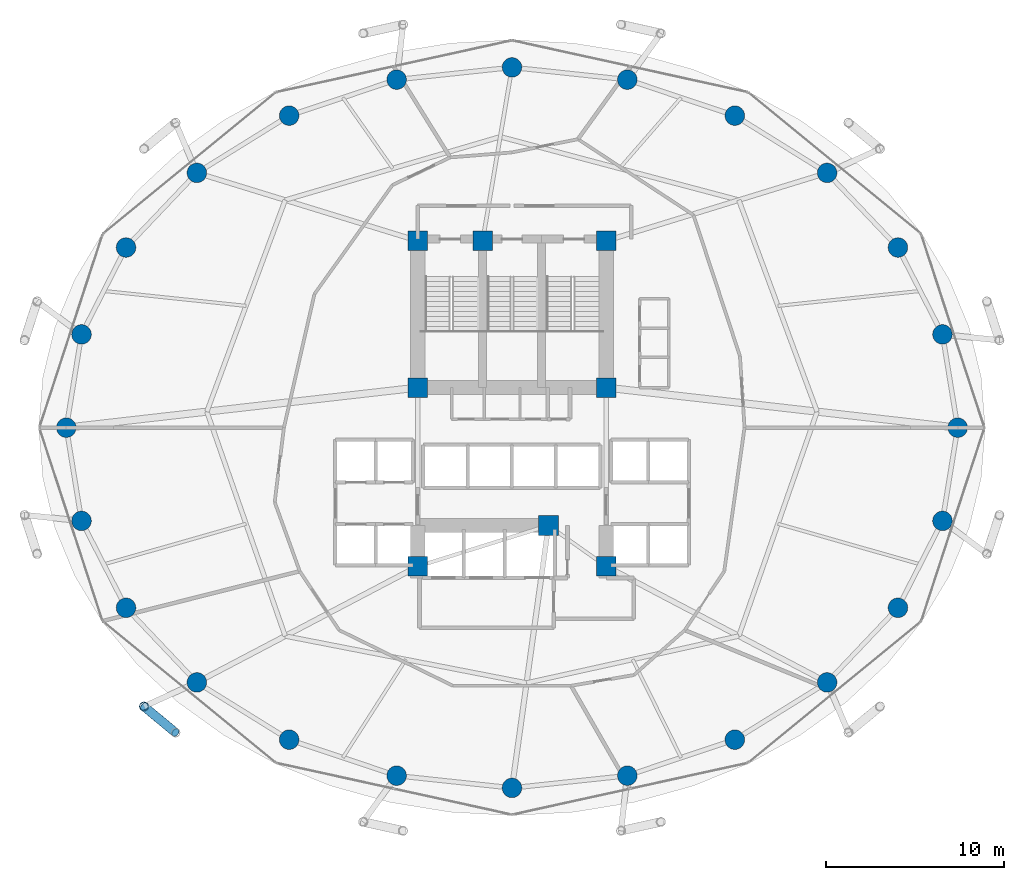
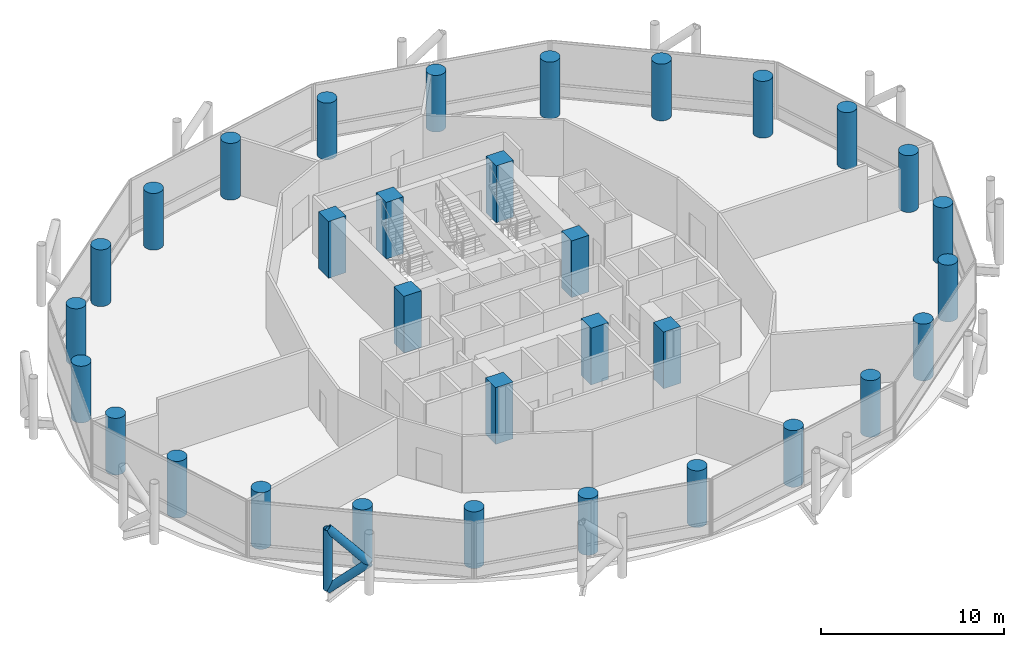
# One storey, part 1 of 24: 32 columns, 3 members.
"""IFC4 building model written with IfcOpenShell, lengths in metres."""

from ifc_helpers import new_model, si_unit, direction, frame, origin, origin_2d, place, context, subcontext, project, spatial, rectangle, circle, hollow_circle, extrude, material, material_profile, profile_set, type_object, element, save


model = new_model("IFC4")

# Units and contexts
model_context = context("Model", 3, precision=1e-05, world=origin(), true_north=direction((0.0, 1.0)))
body_context = subcontext(model_context, "Body", "Model", "MODEL_VIEW")
ifc_project = project(units=[si_unit("LENGTHUNIT", "METRE"), si_unit("AREAUNIT", "SQUARE_METRE"), si_unit("VOLUMEUNIT", "CUBIC_METRE"), si_unit("PLANEANGLEUNIT", "RADIAN"), si_unit("MASSUNIT", "GRAM", prefix="KILO")], contexts=[model_context])

# Site, building, storey
site_placement = place(None, origin())
site = spatial("IfcSite", under=ifc_project, at=site_placement, CompositionType="ELEMENT")
building_placement = place(site_placement, origin())
building = spatial("IfcBuilding", under=site, at=building_placement, Name="Nuhasar Tower", CompositionType="ELEMENT")
storey_placement = place(building_placement, frame((0.0, 0.0, 29.10009765625)))
storey = spatial("IfcBuildingStorey", under=building, at=storey_placement, Name="L06", CompositionType="ELEMENT", Elevation=29.10009765625)

# Columns
ifc_material_1 = material(Name="Concrete C80/95", Category="concrete")
ifc_material_profile_1 = material_profile(ifc_material_1, circle(Radius=0.550048828125, at=origin_2d()), Name="CFT1100")
ifc_profile_set_1 = profile_set([ifc_material_profile_1], Name="Concrete C80/95")
column_type_1 = type_object("IfcColumnType", Name="COL-CFT-1100", PredefinedType="COLUMN", material=ifc_profile_set_1)
for number, where, z_axis, x_axis, name in (
    (1, (64.050048828125, 26.800048828125, 0.0), (0.0, 0.0, 1.0), (1.0, 0.0, 0.0), "L06 Perimeter Composite Column TC-01"),
    (2, (63.196044921875, 32.041015625, 0.0), (0.0, 0.0, 1.0), (1.0, 0.0, 0.0), "L06 Perimeter Composite Column TC-02"),
    (3, (60.694091796875, 36.925048828125, 0.0), (0.0, 0.0, 1.0), (1.0, 0.0, 0.0), "L06 Perimeter Composite Column TC-03"),
    (4, (56.712890625, 41.118896484375, 0.0), (0.0, 0.0, 1.0), (1.0, 0.0, 0.0), "L06 Perimeter Composite Column TC-04"),
    (5, (51.52490234375, 44.3369140625, 0.0), (0.0, 0.0, 1.0), (1.0, 0.0, 0.0), "L06 Perimeter Composite Column TC-05"),
    (6, (45.48291015625, 46.360107421875, 0.0), (0.0, 0.0, 1.0), (1.0, 0.0, 0.0), "L06 Perimeter Composite Column TC-06"),
    (7, (39.0, 47.050048828125, 0.0), (0.0, 0.0, 1.0), (1.0, 0.0, 0.0), "L06 Perimeter Composite Column TC-07"),
    (8, (32.51708984375, 46.360107421875, 0.0), (0.0, 0.0, 1.0), (1.0, 0.0, 0.0), "L06 Perimeter Composite Column TC-08"),
    (9, (26.47509765625, 44.3369140625, 0.0), (0.0, 0.0, 1.0), (1.0, 0.0, 0.0), "L06 Perimeter Composite Column TC-09"),
    (10, (21.287109375, 41.118896484375, 0.0), (0.0, 0.0, 1.0), (1.0, 0.0, 0.0), "L06 Perimeter Composite Column TC-10"),
    (11, (17.305908203125, 36.925048828125, 0.0), (0.0, 0.0, 1.0), (1.0, 0.0, 0.0), "L06 Perimeter Composite Column TC-11"),
    (12, (14.803955078125, 32.041015625, 0.0), (0.0, 0.0, 1.0), (1.0, 0.0, 0.0), "L06 Perimeter Composite Column TC-12"),
    (13, (13.949951171875, 26.800048828125, 0.0), (0.0, 0.0, 1.0), (1.0, 0.0, 0.0), "L06 Perimeter Composite Column TC-13"),
    (14, (14.803955078125, 21.55908203125, 0.0), (0.0, 0.0, 1.0), (1.0, 0.0, 0.0), "L06 Perimeter Composite Column TC-14"),
    (15, (17.305908203125, 16.675048828125, 0.0), (0.0, 0.0, 1.0), (1.0, 0.0, 0.0), "L06 Perimeter Composite Column TC-15"),
    (16, (21.287109375, 12.48095703125, 0.0), (0.0, 0.0, 1.0), (1.0, 0.0, 0.0), "L06 Perimeter Composite Column TC-16"),
    (17, (26.47509765625, 9.262939453125, 0.0), (0.0, 0.0, 1.0), (1.0, 0.0, 0.0), "L06 Perimeter Composite Column TC-17"),
    (18, (32.51708984375, 7.239990234375, 0.0), (0.0, 0.0, 1.0), (1.0, 0.0, 0.0), "L06 Perimeter Composite Column TC-18"),
    (19, (39.0, 6.550048828125, 0.0), (0.0, 0.0, 1.0), (1.0, 0.0, 0.0), "L06 Perimeter Composite Column TC-19"),
    (20, (45.48291015625, 7.239990234375, 0.0), (0.0, 0.0, 1.0), (1.0, 0.0, 0.0), "L06 Perimeter Composite Column TC-20"),
    (21, (51.52490234375, 9.262939453125, 0.0), (0.0, 0.0, 1.0), (1.0, 0.0, 0.0), "L06 Perimeter Composite Column TC-21"),
    (22, (56.712890625, 12.48095703125, 0.0), (0.0, 0.0, 1.0), (1.0, 0.0, 0.0), "L06 Perimeter Composite Column TC-22"),
    (23, (60.694091796875, 16.675048828125, 0.0), (0.0, 0.0, 1.0), (1.0, 0.0, 0.0), "L06 Perimeter Composite Column TC-23"),
    (24, (63.196044921875, 21.55908203125, 0.0), (0.0, 0.0, 1.0), (1.0, 0.0, 0.0), "L06 Perimeter Composite Column TC-24"),
):
    element("IfcColumn", number, at=place(storey_placement, frame(where, z_axis=z_axis, x_axis=x_axis)), inside=storey, type_object=column_type_1, Name=name, PredefinedType="COLUMN", context=body_context, shape_type="SweptSolid", body=[
        extrude(circle(Radius=0.550048828125, at=origin_2d()), origin(), (0.0, 0.0, 1.0), 3.789794921875),
    ])
ifc_material_profile_2 = material_profile(ifc_material_1, rectangle(XDim=1.10009765625, YDim=1.10009765625, at=origin_2d()), Name="RC1100X1100")
ifc_profile_set_2 = profile_set([ifc_material_profile_2], Name="Concrete C80/95")
column_type_2 = type_object("IfcColumnType", Name="PIL-RC-1100", PredefinedType="PILASTER", material=ifc_profile_set_2)
for number, where, z_axis, x_axis, name in (
    (25, (33.699951171875, 19.0, 0.0), (0.0, 0.0, 1.0), (1.0, 0.0, 0.0), "L06 Core Boundary Pilaster CC-01"),
    (26, (41.050048828125, 21.300048828125, 0.0), (0.0, 0.0, 1.0), (1.0, 0.0, 0.0), "L06 Core Boundary Pilaster CC-02"),
    (27, (44.300048828125, 19.0, 0.0), (0.0, 0.0, 1.0), (1.0, 0.0, 0.0), "L06 Core Boundary Pilaster CC-03"),
    (28, (44.300048828125, 29.050048828125, 0.0), (0.0, 0.0, 1.0), (1.0, 0.0, 0.0), "L06 Core Boundary Pilaster CC-04"),
    (29, (44.300048828125, 37.300048828125, 0.0), (0.0, 0.0, 1.0), (1.0, 0.0, 0.0), "L06 Core Boundary Pilaster CC-05"),
    (30, (37.35009765625, 37.300048828125, 0.0), (0.0, 0.0, 1.0), (1.0, 0.0, 0.0), "L06 Core Boundary Pilaster CC-06"),
    (31, (33.699951171875, 37.300048828125, 0.0), (0.0, 0.0, 1.0), (1.0, 0.0, 0.0), "L06 Core Boundary Pilaster CC-07"),
    (32, (33.699951171875, 29.050048828125, 0.0), (0.0, 0.0, 1.0), (1.0, 0.0, 0.0), "L06 Core Boundary Pilaster CC-08"),
):
    element("IfcColumn", number, at=place(storey_placement, frame(where, z_axis=z_axis, x_axis=x_axis)), inside=storey, type_object=column_type_2, Name=name, PredefinedType="PILASTER", context=body_context, shape_type="SweptSolid", body=[
        extrude(rectangle(XDim=1.10009765625, YDim=1.10009765625, at=origin_2d()), origin(), (0.0, 0.0, 1.0), 3.789794921875),
    ])

# Members
ifc_material_2 = material(Name="Steel S460", Category="steel")
ifc_material_profile_3 = material_profile(ifc_material_2, hollow_circle(Radius=0.25390625, WallThickness=0.025390625, at=origin_2d()), Name="HSS508X25.4")
ifc_profile_set_3 = profile_set([ifc_material_profile_3], Name="Steel S460")
member_type = type_object("IfcMemberType", Name="EXO-BRONZE-508", PredefinedType="BRACE", material=ifc_profile_set_3)
member_placement = place(storey_placement, frame((18.31494140625, 11.12890625, 0.0), z_axis=(0.0, 0.0, 1.0), x_axis=(1.0, 0.0, 0.0)))
element("IfcMember", 33, at=member_placement, inside=storey, type_object=member_type, Name="L06 Exoskeleton Chord Column EC-08A", PredefinedType="BRACE", context=body_context, shape_type="SweptSolid", body=[
    extrude(hollow_circle(Radius=0.25390625, WallThickness=0.025390625, at=origin_2d()), origin(), (0.0, 0.0, 1.0), 4.0498046875),
])
for number, where, z_axis, x_axis, name in (
    (34, (18.31494140625, 11.12890625, 0.0), (0.578101613167, -0.478937034992, 0.660619286251), (0.637969333506, 0.770061769929, 0.0), "L06 Bronze Diagrid Brace W1-08"),
    (35, (20.0869140625, 9.660888671875, 2.02490234375), (-0.578101613167, 0.478937034992, 0.660619286251), (-0.637969333506, -0.770061769929, 0.0), "L06 Bronze Diagrid Brace W2-08"),
):
    element("IfcMember", number, at=place(storey_placement, frame(where, z_axis=z_axis, x_axis=x_axis)), inside=storey, type_object=member_type, Name=name, PredefinedType="BRACE", context=body_context, shape_type="SweptSolid", body=[
        extrude(hollow_circle(Radius=0.25390625, WallThickness=0.025390625, at=origin_2d()), origin(), (0.0, 0.0, 1.0), 3.065185546875),
    ])

save(model, "model.ifc")
